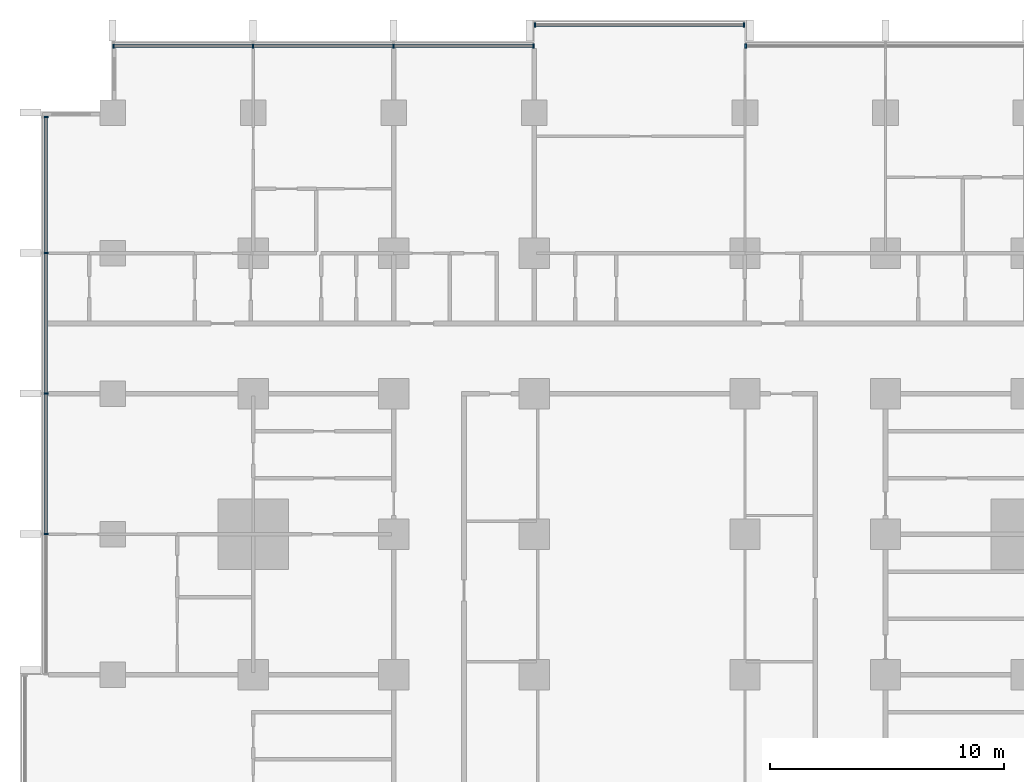
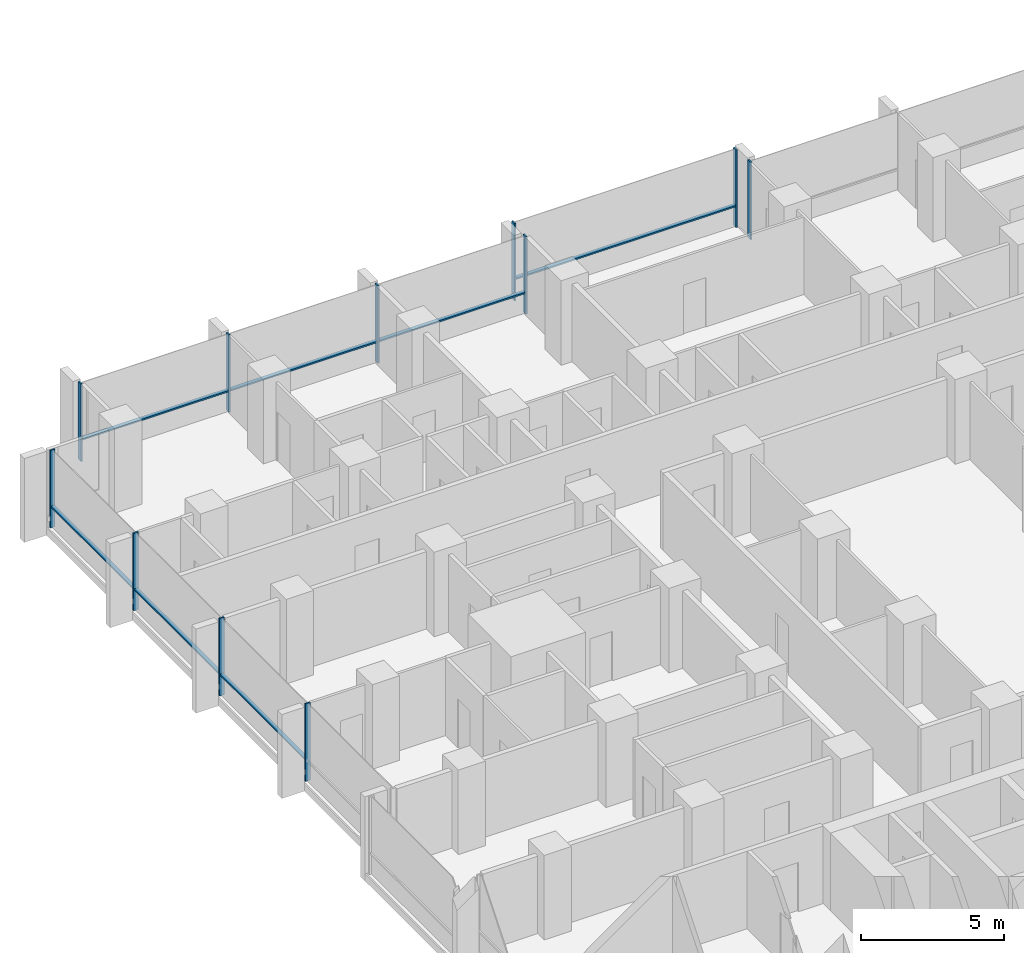
# One storey, part 4 of 18: 18 members, 4 elements without a shape of their own.
"""IFC4 building model written with IfcOpenShell, lengths in metres."""

from ifc_helpers import new_model, si_unit, direction, frame, origin, origin_2d, place, context, subcontext, project, spatial, rectangle, extrude, material, material_profile, profile_set, type_object, element, aggregate, save


model = new_model("IFC4")

# Units and contexts
model_context = context("Model", 3, precision=1e-05, world=origin(), true_north=direction((0.0, 1.0)))
body_context = subcontext(model_context, "Body", "Model", "MODEL_VIEW")
ifc_project = project(units=[si_unit("LENGTHUNIT", "METRE"), si_unit("AREAUNIT", "SQUARE_METRE"), si_unit("VOLUMEUNIT", "CUBIC_METRE"), si_unit("PLANEANGLEUNIT", "RADIAN"), si_unit("MASSUNIT", "GRAM", prefix="KILO")], contexts=[model_context])

# Site, building, storey
site_placement = place(None, origin())
site = spatial("IfcSite", under=ifc_project, at=site_placement, CompositionType="ELEMENT")
building_placement = place(site_placement, origin())
building = spatial("IfcBuilding", under=site, at=building_placement, Name="Finial Court Residences", CompositionType="ELEMENT")
storey_placement = place(building_placement, frame((0.0, 0.0, 50.5)))
storey = spatial("IfcBuildingStorey", under=building, at=storey_placement, Name="L11", CompositionType="ELEMENT", Elevation=50.5)

# Curtain wall, members
ifc_material = material(Name="Bronze anodised aluminium", Category="aluminium")
curtain_wall_type = type_object("IfcCurtainWallType", Name="Unitised curtain wall, lower and middle zones", PredefinedType="NOTDEFINED", material=ifc_material)
curtain_wall_1_placement = place(storey_placement, origin())
curtain_wall_1 = element("IfcCurtainWall", 1, at=curtain_wall_1_placement, inside=storey, type_object=curtain_wall_type, Name="E-L11-CW-N1", PredefinedType="NOTDEFINED")
ifc_material_profile_1 = material_profile(ifc_material, rectangle(XDim=0.199951171875, YDim=0.06494140625, at=origin_2d()), Name="CW1 mullion 65 x 200")
ifc_profile_set_1 = profile_set([ifc_material_profile_1], Name="Bronze anodised aluminium")
member_type_1 = type_object("IfcMemberType", Name="CW1 mullion 65 x 200", PredefinedType="MULLION", material=ifc_profile_set_1)
member_1_placement = place(storey_placement, frame((-22.467529296875, 28.35009765625, 0.0), z_axis=(0.0, 0.0, 1.0), x_axis=(0.0, 1.0, 0.0)))
member_1 = element("IfcMember", 2, at=member_1_placement, type_object=member_type_1, Name="CW1 mullion 1", PredefinedType="MULLION", context=body_context, shape_type="SweptSolid", body=[
    extrude(rectangle(XDim=0.199951171875, YDim=0.06494140625, at=origin_2d()), origin(), (0.0, 0.0, 1.0), 3.300048828125),
])
member_2_placement = place(storey_placement, frame((-16.5, 28.35009765625, 0.0), z_axis=(0.0, 0.0, 1.0), x_axis=(0.0, 1.0, 0.0)))
member_2 = element("IfcMember", 3, at=member_2_placement, type_object=member_type_1, Name="CW1 mullion 2", PredefinedType="MULLION", context=body_context, shape_type="SweptSolid", body=[
    extrude(rectangle(XDim=0.199951171875, YDim=0.06494140625, at=origin_2d()), origin(), (0.0, 0.0, 1.0), 3.300048828125),
])
member_3_placement = place(storey_placement, frame((-10.5, 28.35009765625, 0.0), z_axis=(0.0, 0.0, 1.0), x_axis=(0.0, 1.0, 0.0)))
member_3 = element("IfcMember", 4, at=member_3_placement, type_object=member_type_1, Name="CW1 mullion 3", PredefinedType="MULLION", context=body_context, shape_type="SweptSolid", body=[
    extrude(rectangle(XDim=0.199951171875, YDim=0.06494140625, at=origin_2d()), origin(), (0.0, 0.0, 1.0), 3.300048828125),
])
member_4_placement = place(storey_placement, frame((-4.532470703125, 28.35009765625, 0.0), z_axis=(0.0, 0.0, 1.0), x_axis=(0.0, 1.0, 0.0)))
member_4 = element("IfcMember", 5, at=member_4_placement, type_object=member_type_1, Name="CW1 mullion 4", PredefinedType="MULLION", context=body_context, shape_type="SweptSolid", body=[
    extrude(rectangle(XDim=0.199951171875, YDim=0.06494140625, at=origin_2d()), origin(), (0.0, 0.0, 1.0), 3.300048828125),
])

curtain_wall_2_placement = place(storey_placement, origin())
curtain_wall_2 = element("IfcCurtainWall", 6, at=curtain_wall_2_placement, inside=storey, type_object=curtain_wall_type, Name="E-L11-CW-N2", PredefinedType="NOTDEFINED")
member_5_placement = place(storey_placement, frame((-4.467529296875, 29.25, 0.0), z_axis=(0.0, 0.0, 1.0), x_axis=(0.0, 1.0, 0.0)))
member_5 = element("IfcMember", 7, at=member_5_placement, type_object=member_type_1, Name="CW1 mullion 1", PredefinedType="MULLION", context=body_context, shape_type="SweptSolid", body=[
    extrude(rectangle(XDim=0.199951171875, YDim=0.06494140625, at=origin_2d()), origin(), (0.0, 0.0, 1.0), 3.300048828125),
])
member_6_placement = place(storey_placement, frame((4.467529296875, 29.25, 0.0), z_axis=(0.0, 0.0, 1.0), x_axis=(0.0, 1.0, 0.0)))
member_6 = element("IfcMember", 8, at=member_6_placement, type_object=member_type_1, Name="CW1 mullion 2", PredefinedType="MULLION", context=body_context, shape_type="SweptSolid", body=[
    extrude(rectangle(XDim=0.199951171875, YDim=0.06494140625, at=origin_2d()), origin(), (0.0, 0.0, 1.0), 3.300048828125),
])

# Curtain wall, member
curtain_wall_3_placement = place(storey_placement, origin())
curtain_wall_3 = element("IfcCurtainWall", 9, at=curtain_wall_3_placement, inside=storey, type_object=curtain_wall_type, Name="E-L11-CW-N3", PredefinedType="NOTDEFINED")
member_7_placement = place(storey_placement, frame((4.532470703125, 28.35009765625, 0.0), z_axis=(0.0, 0.0, 1.0), x_axis=(0.0, 1.0, 0.0)))
member_7 = element("IfcMember", 10, at=member_7_placement, type_object=member_type_1, Name="CW1 mullion 1", PredefinedType="MULLION", context=body_context, shape_type="SweptSolid", body=[
    extrude(rectangle(XDim=0.199951171875, YDim=0.06494140625, at=origin_2d()), origin(), (0.0, 0.0, 1.0), 3.300048828125),
])
aggregate(curtain_wall_3, [member_7])

# Curtain wall, members
curtain_wall_4_placement = place(storey_placement, origin())
curtain_wall_4 = element("IfcCurtainWall", 11, at=curtain_wall_4_placement, inside=storey, type_object=curtain_wall_type, Name="E-L11-CW-W11", PredefinedType="NOTDEFINED")
member_8_placement = place(storey_placement, frame((-25.35009765625, 7.5, 0.0), z_axis=(0.0, 0.0, 1.0), x_axis=(-1.0, 0.0, 0.0)))
member_8 = element("IfcMember", 12, at=member_8_placement, type_object=member_type_1, Name="CW1 mullion 2", PredefinedType="MULLION", context=body_context, shape_type="SweptSolid", body=[
    extrude(rectangle(XDim=0.199951171875, YDim=0.06494140625, at=origin_2d()), origin(), (0.0, 0.0, 1.0), 3.300048828125),
])
member_9_placement = place(storey_placement, frame((-25.35009765625, 13.5, 0.0), z_axis=(0.0, 0.0, 1.0), x_axis=(-1.0, 0.0, 0.0)))
member_9 = element("IfcMember", 13, at=member_9_placement, type_object=member_type_1, Name="CW1 mullion 3", PredefinedType="MULLION", context=body_context, shape_type="SweptSolid", body=[
    extrude(rectangle(XDim=0.199951171875, YDim=0.06494140625, at=origin_2d()), origin(), (0.0, 0.0, 1.0), 3.300048828125),
])
member_10_placement = place(storey_placement, frame((-25.35009765625, 19.5, 0.0), z_axis=(0.0, 0.0, 1.0), x_axis=(-1.0, 0.0, 0.0)))
member_10 = element("IfcMember", 14, at=member_10_placement, type_object=member_type_1, Name="CW1 mullion 4", PredefinedType="MULLION", context=body_context, shape_type="SweptSolid", body=[
    extrude(rectangle(XDim=0.199951171875, YDim=0.06494140625, at=origin_2d()), origin(), (0.0, 0.0, 1.0), 3.300048828125),
])
member_11_placement = place(storey_placement, frame((-25.35009765625, 25.3173828125, 0.0), z_axis=(0.0, 0.0, 1.0), x_axis=(-1.0, 0.0, 0.0)))
member_11 = element("IfcMember", 15, at=member_11_placement, type_object=member_type_1, Name="CW1 mullion 5", PredefinedType="MULLION", context=body_context, shape_type="SweptSolid", body=[
    extrude(rectangle(XDim=0.199951171875, YDim=0.06494140625, at=origin_2d()), origin(), (0.0, 0.0, 1.0), 3.300048828125),
])

# Member
ifc_material_profile_2 = material_profile(ifc_material, rectangle(XDim=0.14990234375, YDim=0.06494140625, at=origin_2d()), Name="CW1 transom 65 x 150")
ifc_profile_set_2 = profile_set([ifc_material_profile_2], Name="Bronze anodised aluminium")
member_type_2 = type_object("IfcMemberType", Name="CW1 transom 65 x 150", PredefinedType="USERDEFINED", material=ifc_profile_set_2)
member_12_placement = place(storey_placement, frame((-22.43505859375, 28.35009765625, 0.89990234375), z_axis=(1.0, 0.0, 0.0), x_axis=(0.0, 1.0, 0.0)))
member_12 = element("IfcMember", 16, at=member_12_placement, type_object=member_type_2, Name="CW1 transom 1.1", ObjectType="TRANSOM", PredefinedType="USERDEFINED", context=body_context, shape_type="SweptSolid", body=[
    extrude(rectangle(XDim=0.14990234375, YDim=0.06494140625, at=origin_2d()), origin(), (0.0, 0.0, 1.0), 5.902587890625),
])

member_13_placement = place(storey_placement, frame((-16.467529296875, 28.35009765625, 0.89990234375), z_axis=(1.0, 0.0, 0.0), x_axis=(0.0, 1.0, 0.0)))
member_13 = element("IfcMember", 17, at=member_13_placement, type_object=member_type_2, Name="CW1 transom 2.1", ObjectType="TRANSOM", PredefinedType="USERDEFINED", context=body_context, shape_type="SweptSolid", body=[
    extrude(rectangle(XDim=0.14990234375, YDim=0.06494140625, at=origin_2d()), origin(), (0.0, 0.0, 1.0), 5.93505859375),
])

member_14_placement = place(storey_placement, frame((-10.467529296875, 28.35009765625, 0.89990234375), z_axis=(1.0, 0.0, 0.0), x_axis=(0.0, 1.0, 0.0)))
member_14 = element("IfcMember", 18, at=member_14_placement, type_object=member_type_2, Name="CW1 transom 3.1", ObjectType="TRANSOM", PredefinedType="USERDEFINED", context=body_context, shape_type="SweptSolid", body=[
    extrude(rectangle(XDim=0.14990234375, YDim=0.06494140625, at=origin_2d()), origin(), (0.0, 0.0, 1.0), 5.902587890625),
])

aggregate(curtain_wall_1, [member_1, member_2, member_3, member_4, member_12, member_13, member_14])

member_15_placement = place(storey_placement, frame((-4.43505859375, 29.25, 0.89990234375), z_axis=(1.0, 0.0, 0.0), x_axis=(0.0, 1.0, 0.0)))
member_15 = element("IfcMember", 19, at=member_15_placement, type_object=member_type_2, Name="CW1 transom 1.1", ObjectType="TRANSOM", PredefinedType="USERDEFINED", context=body_context, shape_type="SweptSolid", body=[
    extrude(rectangle(XDim=0.14990234375, YDim=0.06494140625, at=origin_2d()), origin(), (0.0, 0.0, 1.0), 8.8701171875),
])

aggregate(curtain_wall_2, [member_5, member_6, member_15])

member_16_placement = place(storey_placement, frame((-25.35009765625, 7.532470703125, 0.89990234375), z_axis=(0.0, 1.0, 0.0), x_axis=(-1.0, 0.0, 0.0)))
member_16 = element("IfcMember", 20, at=member_16_placement, type_object=member_type_2, Name="CW1 transom 2.1", ObjectType="TRANSOM", PredefinedType="USERDEFINED", context=body_context, shape_type="SweptSolid", body=[
    extrude(rectangle(XDim=0.14990234375, YDim=0.06494140625, at=origin_2d()), origin(), (0.0, 0.0, 1.0), 5.93505859375),
])

member_17_placement = place(storey_placement, frame((-25.35009765625, 13.532470703125, 0.89990234375), z_axis=(0.0, 1.0, 0.0), x_axis=(-1.0, 0.0, 0.0)))
member_17 = element("IfcMember", 21, at=member_17_placement, type_object=member_type_2, Name="CW1 transom 3.1", ObjectType="TRANSOM", PredefinedType="USERDEFINED", context=body_context, shape_type="SweptSolid", body=[
    extrude(rectangle(XDim=0.14990234375, YDim=0.06494140625, at=origin_2d()), origin(), (0.0, 0.0, 1.0), 5.93505859375),
])

member_18_placement = place(storey_placement, frame((-25.35009765625, 19.532470703125, 0.89990234375), z_axis=(0.0, 1.0, 0.0), x_axis=(-1.0, 0.0, 0.0)))
member_18 = element("IfcMember", 22, at=member_18_placement, type_object=member_type_2, Name="CW1 transom 4.1", ObjectType="TRANSOM", PredefinedType="USERDEFINED", context=body_context, shape_type="SweptSolid", body=[
    extrude(rectangle(XDim=0.14990234375, YDim=0.06494140625, at=origin_2d()), origin(), (0.0, 0.0, 1.0), 5.75244140625),
])

aggregate(curtain_wall_4, [member_8, member_9, member_10, member_11, member_16, member_17, member_18])

save(model, "model.ifc")
